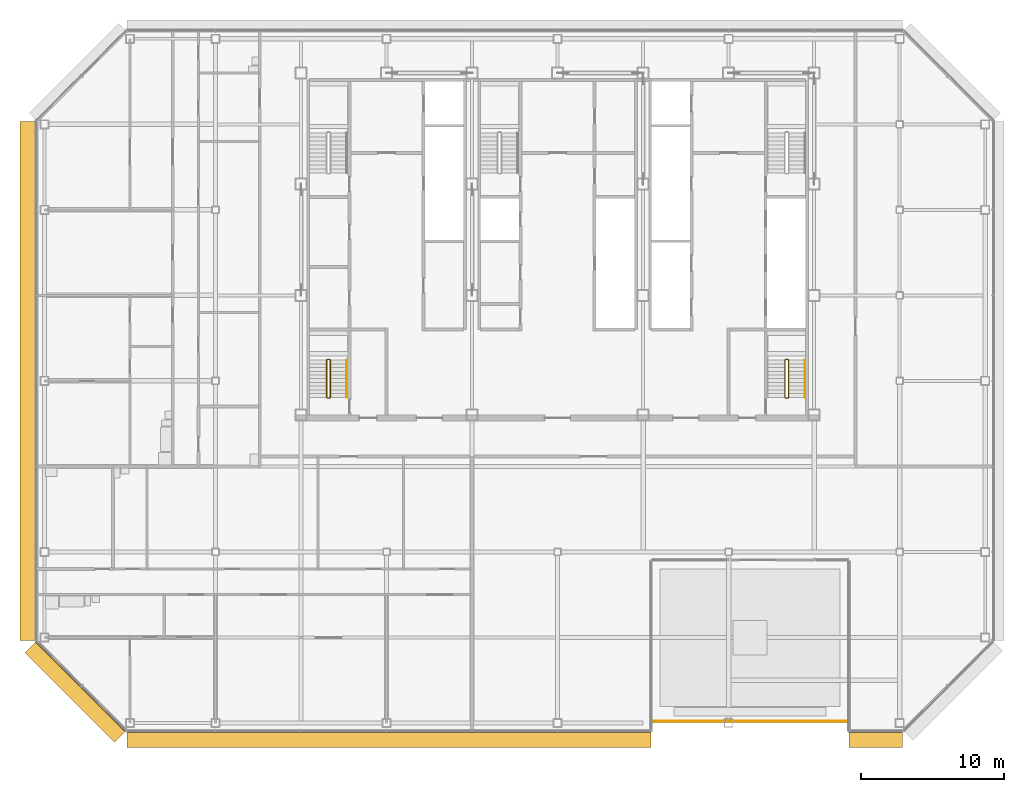
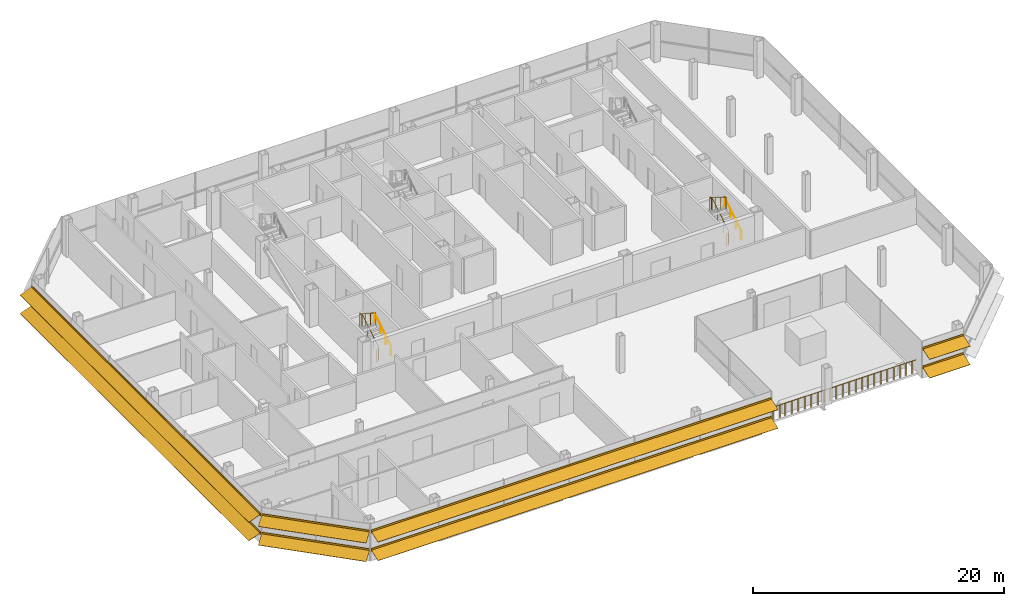
# One storey, part 27 of 30: 5 railings, 4 shading devices.
"""IFC4 building model written with IfcOpenShell, lengths in metres."""

from ifc_helpers import new_model, si_unit, direction, frame, origin, origin_2d, place, context, subcontext, project, spatial, polyline, circle, outline, composite_profile, extrude, material, type_object, element, save


model = new_model("IFC4")

# Units and contexts
model_context = context("Model", 3, precision=1e-05, world=origin(), true_north=direction((0.0, 1.0)))
body_context = subcontext(model_context, "Body", "Model", "MODEL_VIEW")
ifc_project = project(units=[si_unit("LENGTHUNIT", "METRE"), si_unit("AREAUNIT", "SQUARE_METRE"), si_unit("VOLUMEUNIT", "CUBIC_METRE"), si_unit("PLANEANGLEUNIT", "RADIAN"), si_unit("MASSUNIT", "GRAM", prefix="KILO")], contexts=[model_context])

# Site, building, storey
site_placement = place(None, origin())
site = spatial("IfcSite", under=ifc_project, at=site_placement, CompositionType="ELEMENT")
building_placement = place(site_placement, origin())
building = spatial("IfcBuilding", under=site, at=building_placement, Name="Sorahane Residences", CompositionType="ELEMENT")
storey_placement = place(building_placement, frame((0.0, 0.0, 263.0)))
storey = spatial("IfcBuildingStorey", under=building, at=storey_placement, Name="L62", CompositionType="ELEMENT", Elevation=263.0)

# Shading devices
ifc_material_1 = material(Name="Terracotta anodised aluminium", Category="masonry")
shading_device_type_1 = type_object("IfcShadingDeviceType", Name="Louvre sunshade blade S terracotta aluminium 1100", PredefinedType="JALOUSIE", material=ifc_material_1)
shading_device_1_placement = place(storey_placement, frame((-6.198486328125, -0.60009765625, 0.89990234375), z_axis=(1.0, 0.0, 0.0), x_axis=(0.0, 1.0, 0.0)))
element("IfcShadingDevice", 1, at=shading_device_1_placement, inside=storey, type_object=shading_device_type_1, Name="Louvre sunshade blade bank S L62 S1", PredefinedType="JALOUSIE", context=body_context, shape_type="SweptSolid", body=[
    extrude(composite_profile([outline(polyline([(-1.1201171875, -0.385498046875), (-1.1201171875, -0.415283203125), (-0.080078125, -0.036865234375), (-0.080078125, -0.14990234375), (-0.02001953125, -0.14990234375), (-0.02001953125, -0.014892578125), (-0.02001953125, 0.014892578125), (-0.02001953125, 0.14990234375), (-0.080078125, 0.14990234375), (-0.080078125, -0.0068359375), (-1.1201171875, -0.385498046875)])), outline(polyline([(-1.1201171875, 1.41455078125), (-1.1201171875, 1.384521484375), (-0.080078125, 1.76318359375), (-0.080078125, 1.64990234375), (-0.02001953125, 1.64990234375), (-0.02001953125, 1.784912109375), (-0.02001953125, 1.81494140625), (-0.02001953125, 1.949951171875), (-0.080078125, 1.949951171875), (-0.080078125, 1.793212890625), (-1.1201171875, 1.41455078125)]))]), origin(), (0.0, 0.0, 1.0), 36.74853515625),
])
shading_device_2_placement = place(storey_placement, frame((44.449951171875, -0.60009765625, 0.89990234375), z_axis=(1.0, 0.0, 0.0), x_axis=(0.0, 1.0, 0.0)))
element("IfcShadingDevice", 2, at=shading_device_2_placement, inside=storey, type_object=shading_device_type_1, Name="Louvre sunshade blade bank S L62 S3", PredefinedType="JALOUSIE", context=body_context, shape_type="SweptSolid", body=[
    extrude(composite_profile([outline(polyline([(-1.1201171875, -0.385498046875), (-1.1201171875, -0.415283203125), (-0.080078125, -0.036865234375), (-0.080078125, -0.14990234375), (-0.02001953125, -0.14990234375), (-0.02001953125, -0.014892578125), (-0.02001953125, 0.014892578125), (-0.02001953125, 0.14990234375), (-0.080078125, 0.14990234375), (-0.080078125, -0.0068359375), (-1.1201171875, -0.385498046875)])), outline(polyline([(-1.1201171875, 1.41455078125), (-1.1201171875, 1.384521484375), (-0.080078125, 1.76318359375), (-0.080078125, 1.64990234375), (-0.02001953125, 1.64990234375), (-0.02001953125, 1.784912109375), (-0.02001953125, 1.81494140625), (-0.02001953125, 1.949951171875), (-0.080078125, 1.949951171875), (-0.080078125, 1.793212890625), (-1.1201171875, 1.41455078125)]))]), origin(), (0.0, 0.0, 1.0), 3.74853515625),
])
ifc_material_2 = material(Name="Terracotta anodised aluminium", Category="masonry")
shading_device_type_2 = type_object("IfcShadingDeviceType", Name="Louvre sunshade blade SW terracotta aluminium 1100", PredefinedType="JALOUSIE", material=ifc_material_2)
shading_device_3_placement = place(storey_placement, frame((-12.564697265625, 5.716064453125, 0.89990234375), z_axis=(0.707106781187, -0.707106781187, 0.0), x_axis=(0.707106781187, 0.707106781187, 0.0)))
element("IfcShadingDevice", 3, at=shading_device_3_placement, inside=storey, type_object=shading_device_type_2, Name="Louvre sunshade blade bank SW L62 SW1", PredefinedType="JALOUSIE", context=body_context, shape_type="SweptSolid", body=[
    extrude(composite_profile([outline(polyline([(-1.1201171875, -0.385498046875), (-1.1201171875, -0.415283203125), (-0.080078125, -0.036865234375), (-0.080078125, -0.14990234375), (-0.02001953125, -0.14990234375), (-0.02001953125, -0.014892578125), (-0.02001953125, 0.014892578125), (-0.02001953125, 0.14990234375), (-0.080078125, 0.14990234375), (-0.080078125, -0.0068359375), (-1.1201171875, -0.385498046875)])), outline(polyline([(-1.1201171875, 1.41455078125), (-1.1201171875, 1.384521484375), (-0.080078125, 1.76318359375), (-0.080078125, 1.64990234375), (-0.02001953125, 1.64990234375), (-0.02001953125, 1.784912109375), (-0.02001953125, 1.81494140625), (-0.02001953125, 1.949951171875), (-0.080078125, 1.949951171875), (-0.080078125, 1.793212890625), (-1.1201171875, 1.41455078125)]))]), origin(), (0.0, 0.0, 1.0), 8.88232421875),
])
ifc_material_3 = material(Name="Terracotta anodised aluminium", Category="masonry")
shading_device_type_3 = type_object("IfcShadingDeviceType", Name="Louvre sunshade blade W terracotta aluminium 1100", PredefinedType="JALOUSIE", material=ifc_material_3)
shading_device_4_placement = place(storey_placement, frame((-12.60009765625, 42.198486328125, 0.89990234375), z_axis=(0.0, -1.0, 0.0), x_axis=(1.0, 0.0, 0.0)))
element("IfcShadingDevice", 4, at=shading_device_4_placement, inside=storey, type_object=shading_device_type_3, Name="Louvre sunshade blade bank W L62 W2", PredefinedType="JALOUSIE", context=body_context, shape_type="SweptSolid", body=[
    extrude(composite_profile([outline(polyline([(-1.1201171875, -0.385498046875), (-1.1201171875, -0.415283203125), (-0.080078125, -0.036865234375), (-0.080078125, -0.14990234375), (-0.02001953125, -0.14990234375), (-0.02001953125, -0.014892578125), (-0.02001953125, 0.014892578125), (-0.02001953125, 0.14990234375), (-0.080078125, 0.14990234375), (-0.080078125, -0.0068359375), (-1.1201171875, -0.385498046875)])), outline(polyline([(-1.1201171875, 1.41455078125), (-1.1201171875, 1.384521484375), (-0.080078125, 1.76318359375), (-0.080078125, 1.64990234375), (-0.02001953125, 1.64990234375), (-0.02001953125, 1.784912109375), (-0.02001953125, 1.81494140625), (-0.02001953125, 1.949951171875), (-0.080078125, 1.949951171875), (-0.080078125, 1.793212890625), (-1.1201171875, 1.41455078125)]))]), origin(), (0.0, 0.0, 1.0), 36.39697265625),
])

# Railings
ifc_material_4 = material(Name="Steel Q355B", Category="steel")
railing_type_1 = type_object("IfcRailingType", Name="Stair guard 1200 Steel Q355B", PredefinedType="GUARDRAIL", material=ifc_material_4)
railing_1_placement = place(storey_placement, frame((7.85009765625, 22.800048828125, 0.0)))
element("IfcRailing", 5, at=railing_1_placement, inside=storey, type_object=railing_type_1, Name="L62 S4 stair guard 1", PredefinedType="GUARDRAIL", context=body_context, shape_type="SweptSolid", body=[
    extrude(circle(Radius=0.02392578125, at=origin_2d()), frame((0.0, 0.0, 1.17578125), z_axis=(1.0, 0.0, 0.0), x_axis=(0.0, 1.0, 0.0)), (0.0, 0.0, 1.0), 0.14990234375),
    extrude(circle(Radius=0.02392578125, at=origin_2d()), frame((0.14990234375, 0.0, 1.17578125), z_axis=(0.280808744504, 0.280808744504, 0.917765164963), x_axis=(-0.707106781187, 0.707106781187, 0.0)), (0.0, 0.0, 1.0), 0.17822265625),
    extrude(circle(Radius=0.02392578125, at=origin_2d()), frame((0.199951171875, 0.050048828125, 1.33935546875), z_axis=(0.0, 0.846301844409, 0.532703658848), x_axis=(-1.0, 0.0, 0.0)), (0.0, 0.0, 1.0), 3.072021484375),
    extrude(circle(Radius=0.02392578125, at=origin_2d()), frame((0.199951171875, 2.64990234375, 2.97607421875), z_axis=(-0.707106781187, 0.707106781187, 0.0), x_axis=(-0.707106781187, -0.707106781187, 0.0)), (0.0, 0.0, 1.0), 0.07080078125),
    extrude(circle(Radius=0.02392578125, at=origin_2d()), frame((0.14990234375, 2.699951171875, 2.97607421875), z_axis=(-1.0, 0.0, 0.0), x_axis=(0.0, -1.0, 0.0)), (0.0, 0.0, 1.0), 0.14990234375),
    extrude(circle(Radius=0.02392578125, at=origin_2d()), frame((0.0, 2.699951171875, 2.97607421875), z_axis=(-0.280808744504, -0.280808744504, 0.917765164963), x_axis=(0.707106781187, -0.707106781187, 0.0)), (0.0, 0.0, 1.0), 0.17822265625),
    extrude(circle(Radius=0.02392578125, at=origin_2d()), frame((-0.050048828125, 2.64990234375, 3.1396484375), z_axis=(0.0, -0.846301844409, 0.532703658848), x_axis=(1.0, 0.0, 0.0)), (0.0, 0.0, 1.0), 3.072021484375),
    extrude(circle(Radius=0.02099609375, at=origin_2d()), origin(), (0.0, 0.0, 1.0), 1.15185546875),
    extrude(circle(Radius=0.02099609375, at=origin_2d()), frame((0.14990234375, 0.0, 0.0)), (0.0, 0.0, 1.0), 1.15185546875),
    extrude(circle(Radius=0.02099609375, at=origin_2d()), frame((0.199951171875, 0.050048828125, 0.16357421875)), (0.0, 0.0, 1.0), 1.15185546875),
    extrude(circle(Radius=0.02099609375, at=origin_2d()), frame((0.199951171875, 0.916748046875, 0.708984375)), (0.0, 0.0, 1.0), 1.15185546875),
    extrude(circle(Radius=0.02099609375, at=origin_2d()), frame((0.199951171875, 1.783203125, 1.254638671875)), (0.0, 0.0, 1.0), 1.15185546875),
    extrude(circle(Radius=0.02099609375, at=origin_2d()), frame((0.199951171875, 2.64990234375, 1.800048828125)), (0.0, 0.0, 1.0), 1.15185546875),
    extrude(circle(Radius=0.02099609375, at=origin_2d()), frame((0.14990234375, 2.699951171875, 1.800048828125)), (0.0, 0.0, 1.0), 1.15185546875),
    extrude(circle(Radius=0.02099609375, at=origin_2d()), frame((0.0, 2.699951171875, 1.800048828125)), (0.0, 0.0, 1.0), 1.15185546875),
    extrude(circle(Radius=0.02099609375, at=origin_2d()), frame((-0.050048828125, 2.64990234375, 1.963623046875)), (0.0, 0.0, 1.0), 1.15185546875),
    extrude(circle(Radius=0.02099609375, at=origin_2d()), frame((-0.050048828125, 1.783203125, 2.509033203125)), (0.0, 0.0, 1.0), 1.15185546875),
    extrude(circle(Radius=0.02099609375, at=origin_2d()), frame((-0.050048828125, 0.916748046875, 3.0546875)), (0.0, 0.0, 1.0), 1.15185546875),
    extrude(circle(Radius=0.02099609375, at=origin_2d()), frame((-0.050048828125, 0.050048828125, 3.60009765625)), (0.0, 0.0, 1.0), 1.15185546875),
])
railing_2_placement = place(storey_placement, frame((40.0, 22.800048828125, 0.0)))
element("IfcRailing", 6, at=railing_2_placement, inside=storey, type_object=railing_type_1, Name="L62 S5 stair guard 1", PredefinedType="GUARDRAIL", context=body_context, shape_type="SweptSolid", body=[
    extrude(circle(Radius=0.02392578125, at=origin_2d()), frame((0.0, 0.0, 1.17578125), z_axis=(1.0, 0.0, 0.0), x_axis=(0.0, 1.0, 0.0)), (0.0, 0.0, 1.0), 0.14990234375),
    extrude(circle(Radius=0.02392578125, at=origin_2d()), frame((0.14990234375, 0.0, 1.17578125), z_axis=(0.280808744504, 0.280808744504, 0.917765164963), x_axis=(-0.707106781187, 0.707106781187, 0.0)), (0.0, 0.0, 1.0), 0.17822265625),
    extrude(circle(Radius=0.02392578125, at=origin_2d()), frame((0.199951171875, 0.050048828125, 1.33935546875), z_axis=(0.0, 0.846301844409, 0.532703658848), x_axis=(-1.0, 0.0, 0.0)), (0.0, 0.0, 1.0), 3.072021484375),
    extrude(circle(Radius=0.02392578125, at=origin_2d()), frame((0.199951171875, 2.64990234375, 2.97607421875), z_axis=(-0.707106781187, 0.707106781187, 0.0), x_axis=(-0.707106781187, -0.707106781187, 0.0)), (0.0, 0.0, 1.0), 0.07080078125),
    extrude(circle(Radius=0.02392578125, at=origin_2d()), frame((0.14990234375, 2.699951171875, 2.97607421875), z_axis=(-1.0, 0.0, 0.0), x_axis=(0.0, -1.0, 0.0)), (0.0, 0.0, 1.0), 0.14990234375),
    extrude(circle(Radius=0.02392578125, at=origin_2d()), frame((0.0, 2.699951171875, 2.97607421875), z_axis=(-0.280808744504, -0.280808744504, 0.917765164963), x_axis=(0.707106781187, -0.707106781187, 0.0)), (0.0, 0.0, 1.0), 0.17822265625),
    extrude(circle(Radius=0.02392578125, at=origin_2d()), frame((-0.050048828125, 2.64990234375, 3.1396484375), z_axis=(0.0, -0.846301844409, 0.532703658848), x_axis=(1.0, 0.0, 0.0)), (0.0, 0.0, 1.0), 3.072021484375),
    extrude(circle(Radius=0.02099609375, at=origin_2d()), origin(), (0.0, 0.0, 1.0), 1.15185546875),
    extrude(circle(Radius=0.02099609375, at=origin_2d()), frame((0.14990234375, 0.0, 0.0)), (0.0, 0.0, 1.0), 1.15185546875),
    extrude(circle(Radius=0.02099609375, at=origin_2d()), frame((0.199951171875, 0.050048828125, 0.16357421875)), (0.0, 0.0, 1.0), 1.15185546875),
    extrude(circle(Radius=0.02099609375, at=origin_2d()), frame((0.199951171875, 0.916748046875, 0.708984375)), (0.0, 0.0, 1.0), 1.15185546875),
    extrude(circle(Radius=0.02099609375, at=origin_2d()), frame((0.199951171875, 1.783203125, 1.254638671875)), (0.0, 0.0, 1.0), 1.15185546875),
    extrude(circle(Radius=0.02099609375, at=origin_2d()), frame((0.199951171875, 2.64990234375, 1.800048828125)), (0.0, 0.0, 1.0), 1.15185546875),
    extrude(circle(Radius=0.02099609375, at=origin_2d()), frame((0.14990234375, 2.699951171875, 1.800048828125)), (0.0, 0.0, 1.0), 1.15185546875),
    extrude(circle(Radius=0.02099609375, at=origin_2d()), frame((0.0, 2.699951171875, 1.800048828125)), (0.0, 0.0, 1.0), 1.15185546875),
    extrude(circle(Radius=0.02099609375, at=origin_2d()), frame((-0.050048828125, 2.64990234375, 1.963623046875)), (0.0, 0.0, 1.0), 1.15185546875),
    extrude(circle(Radius=0.02099609375, at=origin_2d()), frame((-0.050048828125, 1.783203125, 2.509033203125)), (0.0, 0.0, 1.0), 1.15185546875),
    extrude(circle(Radius=0.02099609375, at=origin_2d()), frame((-0.050048828125, 0.916748046875, 3.0546875)), (0.0, 0.0, 1.0), 1.15185546875),
    extrude(circle(Radius=0.02099609375, at=origin_2d()), frame((-0.050048828125, 0.050048828125, 3.60009765625)), (0.0, 0.0, 1.0), 1.15185546875),
])
ifc_material_5 = material(Name="Steel Q355B", Category="steel")
railing_type_2 = type_object("IfcRailingType", Name="Stair handrail 900 Steel Q355B", PredefinedType="HANDRAIL", material=ifc_material_5)
for number, where, name in (
    (7, (9.199951171875, 22.85009765625, 0.16357421875), "L62 S4 stair handrail 1"),
    (8, (41.35009765625, 22.85009765625, 0.16357421875), "L62 S5 stair handrail 1"),
):
    element("IfcRailing", number, at=place(storey_placement, frame(where)), inside=storey, type_object=railing_type_2, Name=name, PredefinedType="HANDRAIL", context=body_context, shape_type="SweptSolid", body=[
        extrude(circle(Radius=0.02392578125, at=origin_2d()), frame((0.0, 0.0, 0.8759765625), z_axis=(0.0, 0.846301844409, 0.532703658848), x_axis=(-1.0, 0.0, 0.0)), (0.0, 0.0, 1.0), 3.072021484375),
        extrude(circle(Radius=0.02099609375, at=origin_2d()), origin(), (0.0, 0.0, 1.0), 0.851806640625),
        extrude(circle(Radius=0.02099609375, at=origin_2d()), frame((0.0, 0.86669921875, 0.54541015625)), (0.0, 0.0, 1.0), 0.851806640625),
        extrude(circle(Radius=0.02099609375, at=origin_2d()), frame((0.0, 1.733154296875, 1.091064453125)), (0.0, 0.0, 1.0), 0.851806640625),
        extrude(circle(Radius=0.02099609375, at=origin_2d()), frame((0.0, 2.599853515625, 1.636474609375)), (0.0, 0.0, 1.0), 0.851806640625),
    ])
ifc_material_6 = material(Name="Clear low-iron glass with a black steel top rail", Category="steel")
railing_type_3 = type_object("IfcRailingType", Name="Terrace guard black steel bars 1260", PredefinedType="GUARDRAIL", material=ifc_material_6)
railing_3_placement = place(storey_placement, frame((44.280029296875, 0.1201171875, 0.0)))
element("IfcRailing", 9, at=railing_3_placement, inside=storey, type_object=railing_type_3, Name="Terrace guard L62.1.1", PredefinedType="GUARDRAIL", context=body_context, shape_type="SweptSolid", body=[
    extrude(circle(Radius=0.030029296875, at=origin_2d()), frame((0.0, 0.0, 1.22998046875), z_axis=(-1.0, 0.0, 0.0), x_axis=(0.0, -1.0, 0.0)), (0.0, 0.0, 1.0), 13.56005859375),
    extrude(circle(Radius=0.0068359375, at=origin_2d()), origin(), (0.0, 0.0, 1.0), 1.199951171875),
    extrude(circle(Radius=0.0068359375, at=origin_2d()), frame((-0.099609375, 0.0, 0.0)), (0.0, 0.0, 1.0), 1.199951171875),
    extrude(circle(Radius=0.0068359375, at=origin_2d()), frame((-0.199462890625, 0.0, 0.0)), (0.0, 0.0, 1.0), 1.199951171875),
    extrude(circle(Radius=0.0068359375, at=origin_2d()), frame((-0.299072265625, 0.0, 0.0)), (0.0, 0.0, 1.0), 1.199951171875),
    extrude(circle(Radius=0.0068359375, at=origin_2d()), frame((-0.39892578125, 0.0, 0.0)), (0.0, 0.0, 1.0), 1.199951171875),
    extrude(circle(Radius=0.0068359375, at=origin_2d()), frame((-0.49853515625, 0.0, 0.0)), (0.0, 0.0, 1.0), 1.199951171875),
    extrude(circle(Radius=0.0068359375, at=origin_2d()), frame((-0.59814453125, 0.0, 0.0)), (0.0, 0.0, 1.0), 1.199951171875),
    extrude(circle(Radius=0.0068359375, at=origin_2d()), frame((-0.697998046875, 0.0, 0.0)), (0.0, 0.0, 1.0), 1.199951171875),
    extrude(circle(Radius=0.0068359375, at=origin_2d()), frame((-0.797607421875, 0.0, 0.0)), (0.0, 0.0, 1.0), 1.199951171875),
    extrude(circle(Radius=0.0068359375, at=origin_2d()), frame((-0.8974609375, 0.0, 0.0)), (0.0, 0.0, 1.0), 1.199951171875),
    extrude(circle(Radius=0.0068359375, at=origin_2d()), frame((-0.9970703125, 0.0, 0.0)), (0.0, 0.0, 1.0), 1.199951171875),
    extrude(circle(Radius=0.0068359375, at=origin_2d()), frame((-1.0966796875, 0.0, 0.0)), (0.0, 0.0, 1.0), 1.199951171875),
    extrude(circle(Radius=0.0068359375, at=origin_2d()), frame((-1.196533203125, 0.0, 0.0)), (0.0, 0.0, 1.0), 1.199951171875),
    extrude(circle(Radius=0.0068359375, at=origin_2d()), frame((-1.296142578125, 0.0, 0.0)), (0.0, 0.0, 1.0), 1.199951171875),
    extrude(circle(Radius=0.0068359375, at=origin_2d()), frame((-1.39599609375, 0.0, 0.0)), (0.0, 0.0, 1.0), 1.199951171875),
    extrude(circle(Radius=0.0068359375, at=origin_2d()), frame((-1.49560546875, 0.0, 0.0)), (0.0, 0.0, 1.0), 1.199951171875),
    extrude(circle(Radius=0.0068359375, at=origin_2d()), frame((-1.59521484375, 0.0, 0.0)), (0.0, 0.0, 1.0), 1.199951171875),
    extrude(circle(Radius=0.0068359375, at=origin_2d()), frame((-1.695068359375, 0.0, 0.0)), (0.0, 0.0, 1.0), 1.199951171875),
    extrude(circle(Radius=0.0068359375, at=origin_2d()), frame((-1.794677734375, 0.0, 0.0)), (0.0, 0.0, 1.0), 1.199951171875),
    extrude(circle(Radius=0.0068359375, at=origin_2d()), frame((-1.89453125, 0.0, 0.0)), (0.0, 0.0, 1.0), 1.199951171875),
    extrude(circle(Radius=0.0068359375, at=origin_2d()), frame((-1.994140625, 0.0, 0.0)), (0.0, 0.0, 1.0), 1.199951171875),
    extrude(circle(Radius=0.0068359375, at=origin_2d()), frame((-2.09375, 0.0, 0.0)), (0.0, 0.0, 1.0), 1.199951171875),
    extrude(circle(Radius=0.0068359375, at=origin_2d()), frame((-2.193603515625, 0.0, 0.0)), (0.0, 0.0, 1.0), 1.199951171875),
    extrude(circle(Radius=0.0068359375, at=origin_2d()), frame((-2.293212890625, 0.0, 0.0)), (0.0, 0.0, 1.0), 1.199951171875),
    extrude(circle(Radius=0.0068359375, at=origin_2d()), frame((-2.39306640625, 0.0, 0.0)), (0.0, 0.0, 1.0), 1.199951171875),
    extrude(circle(Radius=0.0068359375, at=origin_2d()), frame((-2.49267578125, 0.0, 0.0)), (0.0, 0.0, 1.0), 1.199951171875),
    extrude(circle(Radius=0.0068359375, at=origin_2d()), frame((-2.59228515625, 0.0, 0.0)), (0.0, 0.0, 1.0), 1.199951171875),
    extrude(circle(Radius=0.0068359375, at=origin_2d()), frame((-2.692138671875, 0.0, 0.0)), (0.0, 0.0, 1.0), 1.199951171875),
    extrude(circle(Radius=0.0068359375, at=origin_2d()), frame((-2.791748046875, 0.0, 0.0)), (0.0, 0.0, 1.0), 1.199951171875),
    extrude(circle(Radius=0.0068359375, at=origin_2d()), frame((-2.8916015625, 0.0, 0.0)), (0.0, 0.0, 1.0), 1.199951171875),
    extrude(circle(Radius=0.0068359375, at=origin_2d()), frame((-2.9912109375, 0.0, 0.0)), (0.0, 0.0, 1.0), 1.199951171875),
    extrude(circle(Radius=0.0068359375, at=origin_2d()), frame((-3.0908203125, 0.0, 0.0)), (0.0, 0.0, 1.0), 1.199951171875),
    extrude(circle(Radius=0.0068359375, at=origin_2d()), frame((-3.190673828125, 0.0, 0.0)), (0.0, 0.0, 1.0), 1.199951171875),
    extrude(circle(Radius=0.0068359375, at=origin_2d()), frame((-3.290283203125, 0.0, 0.0)), (0.0, 0.0, 1.0), 1.199951171875),
    extrude(circle(Radius=0.0068359375, at=origin_2d()), frame((-3.39013671875, 0.0, 0.0)), (0.0, 0.0, 1.0), 1.199951171875),
    extrude(circle(Radius=0.0068359375, at=origin_2d()), frame((-3.48974609375, 0.0, 0.0)), (0.0, 0.0, 1.0), 1.199951171875),
    extrude(circle(Radius=0.0068359375, at=origin_2d()), frame((-3.58935546875, 0.0, 0.0)), (0.0, 0.0, 1.0), 1.199951171875),
    extrude(circle(Radius=0.0068359375, at=origin_2d()), frame((-3.689208984375, 0.0, 0.0)), (0.0, 0.0, 1.0), 1.199951171875),
    extrude(circle(Radius=0.0068359375, at=origin_2d()), frame((-3.788818359375, 0.0, 0.0)), (0.0, 0.0, 1.0), 1.199951171875),
    extrude(circle(Radius=0.0068359375, at=origin_2d()), frame((-3.888427734375, 0.0, 0.0)), (0.0, 0.0, 1.0), 1.199951171875),
    extrude(circle(Radius=0.0068359375, at=origin_2d()), frame((-3.98828125, 0.0, 0.0)), (0.0, 0.0, 1.0), 1.199951171875),
    extrude(circle(Radius=0.0068359375, at=origin_2d()), frame((-4.087890625, 0.0, 0.0)), (0.0, 0.0, 1.0), 1.199951171875),
    extrude(circle(Radius=0.0068359375, at=origin_2d()), frame((-4.187744140625, 0.0, 0.0)), (0.0, 0.0, 1.0), 1.199951171875),
    extrude(circle(Radius=0.0068359375, at=origin_2d()), frame((-4.287353515625, 0.0, 0.0)), (0.0, 0.0, 1.0), 1.199951171875),
    extrude(circle(Radius=0.0068359375, at=origin_2d()), frame((-4.386962890625, 0.0, 0.0)), (0.0, 0.0, 1.0), 1.199951171875),
    extrude(circle(Radius=0.0068359375, at=origin_2d()), frame((-4.48681640625, 0.0, 0.0)), (0.0, 0.0, 1.0), 1.199951171875),
    extrude(circle(Radius=0.0068359375, at=origin_2d()), frame((-4.58642578125, 0.0, 0.0)), (0.0, 0.0, 1.0), 1.199951171875),
    extrude(circle(Radius=0.0068359375, at=origin_2d()), frame((-4.686279296875, 0.0, 0.0)), (0.0, 0.0, 1.0), 1.199951171875),
    extrude(circle(Radius=0.0068359375, at=origin_2d()), frame((-4.785888671875, 0.0, 0.0)), (0.0, 0.0, 1.0), 1.199951171875),
    extrude(circle(Radius=0.0068359375, at=origin_2d()), frame((-4.885498046875, 0.0, 0.0)), (0.0, 0.0, 1.0), 1.199951171875),
    extrude(circle(Radius=0.0068359375, at=origin_2d()), frame((-4.9853515625, 0.0, 0.0)), (0.0, 0.0, 1.0), 1.199951171875),
    extrude(circle(Radius=0.0068359375, at=origin_2d()), frame((-5.0849609375, 0.0, 0.0)), (0.0, 0.0, 1.0), 1.199951171875),
    extrude(circle(Radius=0.0068359375, at=origin_2d()), frame((-5.184814453125, 0.0, 0.0)), (0.0, 0.0, 1.0), 1.199951171875),
    extrude(circle(Radius=0.0068359375, at=origin_2d()), frame((-5.284423828125, 0.0, 0.0)), (0.0, 0.0, 1.0), 1.199951171875),
    extrude(circle(Radius=0.0068359375, at=origin_2d()), frame((-5.384033203125, 0.0, 0.0)), (0.0, 0.0, 1.0), 1.199951171875),
    extrude(circle(Radius=0.0068359375, at=origin_2d()), frame((-5.48388671875, 0.0, 0.0)), (0.0, 0.0, 1.0), 1.199951171875),
    extrude(circle(Radius=0.0068359375, at=origin_2d()), frame((-5.58349609375, 0.0, 0.0)), (0.0, 0.0, 1.0), 1.199951171875),
    extrude(circle(Radius=0.0068359375, at=origin_2d()), frame((-5.683349609375, 0.0, 0.0)), (0.0, 0.0, 1.0), 1.199951171875),
    extrude(circle(Radius=0.0068359375, at=origin_2d()), frame((-5.782958984375, 0.0, 0.0)), (0.0, 0.0, 1.0), 1.199951171875),
    extrude(circle(Radius=0.0068359375, at=origin_2d()), frame((-5.882568359375, 0.0, 0.0)), (0.0, 0.0, 1.0), 1.199951171875),
    extrude(circle(Radius=0.0068359375, at=origin_2d()), frame((-5.982421875, 0.0, 0.0)), (0.0, 0.0, 1.0), 1.199951171875),
    extrude(circle(Radius=0.0068359375, at=origin_2d()), frame((-6.08203125, 0.0, 0.0)), (0.0, 0.0, 1.0), 1.199951171875),
    extrude(circle(Radius=0.0068359375, at=origin_2d()), frame((-6.181884765625, 0.0, 0.0)), (0.0, 0.0, 1.0), 1.199951171875),
    extrude(circle(Radius=0.0068359375, at=origin_2d()), frame((-6.281494140625, 0.0, 0.0)), (0.0, 0.0, 1.0), 1.199951171875),
    extrude(circle(Radius=0.0068359375, at=origin_2d()), frame((-6.381103515625, 0.0, 0.0)), (0.0, 0.0, 1.0), 1.199951171875),
    extrude(circle(Radius=0.0068359375, at=origin_2d()), frame((-6.48095703125, 0.0, 0.0)), (0.0, 0.0, 1.0), 1.199951171875),
    extrude(circle(Radius=0.0068359375, at=origin_2d()), frame((-6.58056640625, 0.0, 0.0)), (0.0, 0.0, 1.0), 1.199951171875),
    extrude(circle(Radius=0.0068359375, at=origin_2d()), frame((-6.680419921875, 0.0, 0.0)), (0.0, 0.0, 1.0), 1.199951171875),
    extrude(circle(Radius=0.0068359375, at=origin_2d()), frame((-6.780029296875, 0.0, 0.0)), (0.0, 0.0, 1.0), 1.199951171875),
    extrude(circle(Radius=0.0068359375, at=origin_2d()), frame((-6.879638671875, 0.0, 0.0)), (0.0, 0.0, 1.0), 1.199951171875),
    extrude(circle(Radius=0.0068359375, at=origin_2d()), frame((-6.9794921875, 0.0, 0.0)), (0.0, 0.0, 1.0), 1.199951171875),
    extrude(circle(Radius=0.0068359375, at=origin_2d()), frame((-7.0791015625, 0.0, 0.0)), (0.0, 0.0, 1.0), 1.199951171875),
    extrude(circle(Radius=0.0068359375, at=origin_2d()), frame((-7.178955078125, 0.0, 0.0)), (0.0, 0.0, 1.0), 1.199951171875),
    extrude(circle(Radius=0.0068359375, at=origin_2d()), frame((-7.278564453125, 0.0, 0.0)), (0.0, 0.0, 1.0), 1.199951171875),
    extrude(circle(Radius=0.0068359375, at=origin_2d()), frame((-7.378173828125, 0.0, 0.0)), (0.0, 0.0, 1.0), 1.199951171875),
    extrude(circle(Radius=0.0068359375, at=origin_2d()), frame((-7.47802734375, 0.0, 0.0)), (0.0, 0.0, 1.0), 1.199951171875),
    extrude(circle(Radius=0.0068359375, at=origin_2d()), frame((-7.57763671875, 0.0, 0.0)), (0.0, 0.0, 1.0), 1.199951171875),
    extrude(circle(Radius=0.0068359375, at=origin_2d()), frame((-7.677490234375, 0.0, 0.0)), (0.0, 0.0, 1.0), 1.199951171875),
    extrude(circle(Radius=0.0068359375, at=origin_2d()), frame((-7.777099609375, 0.0, 0.0)), (0.0, 0.0, 1.0), 1.199951171875),
    extrude(circle(Radius=0.0068359375, at=origin_2d()), frame((-7.876708984375, 0.0, 0.0)), (0.0, 0.0, 1.0), 1.199951171875),
    extrude(circle(Radius=0.0068359375, at=origin_2d()), frame((-7.9765625, 0.0, 0.0)), (0.0, 0.0, 1.0), 1.199951171875),
    extrude(circle(Radius=0.0068359375, at=origin_2d()), frame((-8.076171875, 0.0, 0.0)), (0.0, 0.0, 1.0), 1.199951171875),
    extrude(circle(Radius=0.0068359375, at=origin_2d()), frame((-8.176025390625, 0.0, 0.0)), (0.0, 0.0, 1.0), 1.199951171875),
    extrude(circle(Radius=0.0068359375, at=origin_2d()), frame((-8.275634765625, 0.0, 0.0)), (0.0, 0.0, 1.0), 1.199951171875),
    extrude(circle(Radius=0.0068359375, at=origin_2d()), frame((-8.375244140625, 0.0, 0.0)), (0.0, 0.0, 1.0), 1.199951171875),
    extrude(circle(Radius=0.0068359375, at=origin_2d()), frame((-8.47509765625, 0.0, 0.0)), (0.0, 0.0, 1.0), 1.199951171875),
    extrude(circle(Radius=0.0068359375, at=origin_2d()), frame((-8.57470703125, 0.0, 0.0)), (0.0, 0.0, 1.0), 1.199951171875),
    extrude(circle(Radius=0.0068359375, at=origin_2d()), frame((-8.674560546875, 0.0, 0.0)), (0.0, 0.0, 1.0), 1.199951171875),
    extrude(circle(Radius=0.0068359375, at=origin_2d()), frame((-8.774169921875, 0.0, 0.0)), (0.0, 0.0, 1.0), 1.199951171875),
    extrude(circle(Radius=0.0068359375, at=origin_2d()), frame((-8.873779296875, 0.0, 0.0)), (0.0, 0.0, 1.0), 1.199951171875),
    extrude(circle(Radius=0.0068359375, at=origin_2d()), frame((-8.9736328125, 0.0, 0.0)), (0.0, 0.0, 1.0), 1.199951171875),
    extrude(circle(Radius=0.0068359375, at=origin_2d()), frame((-9.0732421875, 0.0, 0.0)), (0.0, 0.0, 1.0), 1.199951171875),
    extrude(circle(Radius=0.0068359375, at=origin_2d()), frame((-9.173095703125, 0.0, 0.0)), (0.0, 0.0, 1.0), 1.199951171875),
    extrude(circle(Radius=0.0068359375, at=origin_2d()), frame((-9.272705078125, 0.0, 0.0)), (0.0, 0.0, 1.0), 1.199951171875),
    extrude(circle(Radius=0.0068359375, at=origin_2d()), frame((-9.372314453125, 0.0, 0.0)), (0.0, 0.0, 1.0), 1.199951171875),
    extrude(circle(Radius=0.0068359375, at=origin_2d()), frame((-9.47216796875, 0.0, 0.0)), (0.0, 0.0, 1.0), 1.199951171875),
    extrude(circle(Radius=0.0068359375, at=origin_2d()), frame((-9.57177734375, 0.0, 0.0)), (0.0, 0.0, 1.0), 1.199951171875),
    extrude(circle(Radius=0.0068359375, at=origin_2d()), frame((-9.671630859375, 0.0, 0.0)), (0.0, 0.0, 1.0), 1.199951171875),
    extrude(circle(Radius=0.0068359375, at=origin_2d()), frame((-9.771240234375, 0.0, 0.0)), (0.0, 0.0, 1.0), 1.199951171875),
    extrude(circle(Radius=0.0068359375, at=origin_2d()), frame((-9.870849609375, 0.0, 0.0)), (0.0, 0.0, 1.0), 1.199951171875),
    extrude(circle(Radius=0.0068359375, at=origin_2d()), frame((-9.970703125, 0.0, 0.0)), (0.0, 0.0, 1.0), 1.199951171875),
    extrude(circle(Radius=0.0068359375, at=origin_2d()), frame((-10.0703125, 0.0, 0.0)), (0.0, 0.0, 1.0), 1.199951171875),
    extrude(circle(Radius=0.0068359375, at=origin_2d()), frame((-10.169921875, 0.0, 0.0)), (0.0, 0.0, 1.0), 1.199951171875),
    extrude(circle(Radius=0.0068359375, at=origin_2d()), frame((-10.269775390625, 0.0, 0.0)), (0.0, 0.0, 1.0), 1.199951171875),
    extrude(circle(Radius=0.0068359375, at=origin_2d()), frame((-10.369384765625, 0.0, 0.0)), (0.0, 0.0, 1.0), 1.199951171875),
    extrude(circle(Radius=0.0068359375, at=origin_2d()), frame((-10.46923828125, 0.0, 0.0)), (0.0, 0.0, 1.0), 1.199951171875),
    extrude(circle(Radius=0.0068359375, at=origin_2d()), frame((-10.56884765625, 0.0, 0.0)), (0.0, 0.0, 1.0), 1.199951171875),
    extrude(circle(Radius=0.0068359375, at=origin_2d()), frame((-10.66845703125, 0.0, 0.0)), (0.0, 0.0, 1.0), 1.199951171875),
    extrude(circle(Radius=0.0068359375, at=origin_2d()), frame((-10.768310546875, 0.0, 0.0)), (0.0, 0.0, 1.0), 1.199951171875),
    extrude(circle(Radius=0.0068359375, at=origin_2d()), frame((-10.867919921875, 0.0, 0.0)), (0.0, 0.0, 1.0), 1.199951171875),
    extrude(circle(Radius=0.0068359375, at=origin_2d()), frame((-10.9677734375, 0.0, 0.0)), (0.0, 0.0, 1.0), 1.199951171875),
    extrude(circle(Radius=0.0068359375, at=origin_2d()), frame((-11.0673828125, 0.0, 0.0)), (0.0, 0.0, 1.0), 1.199951171875),
    extrude(circle(Radius=0.0068359375, at=origin_2d()), frame((-11.1669921875, 0.0, 0.0)), (0.0, 0.0, 1.0), 1.199951171875),
    extrude(circle(Radius=0.0068359375, at=origin_2d()), frame((-11.266845703125, 0.0, 0.0)), (0.0, 0.0, 1.0), 1.199951171875),
    extrude(circle(Radius=0.0068359375, at=origin_2d()), frame((-11.366455078125, 0.0, 0.0)), (0.0, 0.0, 1.0), 1.199951171875),
    extrude(circle(Radius=0.0068359375, at=origin_2d()), frame((-11.46630859375, 0.0, 0.0)), (0.0, 0.0, 1.0), 1.199951171875),
    extrude(circle(Radius=0.0068359375, at=origin_2d()), frame((-11.56591796875, 0.0, 0.0)), (0.0, 0.0, 1.0), 1.199951171875),
    extrude(circle(Radius=0.0068359375, at=origin_2d()), frame((-11.66552734375, 0.0, 0.0)), (0.0, 0.0, 1.0), 1.199951171875),
    extrude(circle(Radius=0.0068359375, at=origin_2d()), frame((-11.765380859375, 0.0, 0.0)), (0.0, 0.0, 1.0), 1.199951171875),
    extrude(circle(Radius=0.0068359375, at=origin_2d()), frame((-11.864990234375, 0.0, 0.0)), (0.0, 0.0, 1.0), 1.199951171875),
    extrude(circle(Radius=0.0068359375, at=origin_2d()), frame((-11.96484375, 0.0, 0.0)), (0.0, 0.0, 1.0), 1.199951171875),
    extrude(circle(Radius=0.0068359375, at=origin_2d()), frame((-12.064453125, 0.0, 0.0)), (0.0, 0.0, 1.0), 1.199951171875),
    extrude(circle(Radius=0.0068359375, at=origin_2d()), frame((-12.1640625, 0.0, 0.0)), (0.0, 0.0, 1.0), 1.199951171875),
    extrude(circle(Radius=0.0068359375, at=origin_2d()), frame((-12.263916015625, 0.0, 0.0)), (0.0, 0.0, 1.0), 1.199951171875),
    extrude(circle(Radius=0.0068359375, at=origin_2d()), frame((-12.363525390625, 0.0, 0.0)), (0.0, 0.0, 1.0), 1.199951171875),
    extrude(circle(Radius=0.0068359375, at=origin_2d()), frame((-12.46337890625, 0.0, 0.0)), (0.0, 0.0, 1.0), 1.199951171875),
    extrude(circle(Radius=0.0068359375, at=origin_2d()), frame((-12.56298828125, 0.0, 0.0)), (0.0, 0.0, 1.0), 1.199951171875),
    extrude(circle(Radius=0.0068359375, at=origin_2d()), frame((-12.66259765625, 0.0, 0.0)), (0.0, 0.0, 1.0), 1.199951171875),
    extrude(circle(Radius=0.0068359375, at=origin_2d()), frame((-12.762451171875, 0.0, 0.0)), (0.0, 0.0, 1.0), 1.199951171875),
    extrude(circle(Radius=0.0068359375, at=origin_2d()), frame((-12.862060546875, 0.0, 0.0)), (0.0, 0.0, 1.0), 1.199951171875),
    extrude(circle(Radius=0.0068359375, at=origin_2d()), frame((-12.9619140625, 0.0, 0.0)), (0.0, 0.0, 1.0), 1.199951171875),
    extrude(circle(Radius=0.0068359375, at=origin_2d()), frame((-13.0615234375, 0.0, 0.0)), (0.0, 0.0, 1.0), 1.199951171875),
    extrude(circle(Radius=0.0068359375, at=origin_2d()), frame((-13.1611328125, 0.0, 0.0)), (0.0, 0.0, 1.0), 1.199951171875),
    extrude(circle(Radius=0.0068359375, at=origin_2d()), frame((-13.260986328125, 0.0, 0.0)), (0.0, 0.0, 1.0), 1.199951171875),
    extrude(circle(Radius=0.0068359375, at=origin_2d()), frame((-13.360595703125, 0.0, 0.0)), (0.0, 0.0, 1.0), 1.199951171875),
    extrude(circle(Radius=0.0068359375, at=origin_2d()), frame((-13.46044921875, 0.0, 0.0)), (0.0, 0.0, 1.0), 1.199951171875),
    extrude(circle(Radius=0.0068359375, at=origin_2d()), frame((-13.56005859375, 0.0, 0.0)), (0.0, 0.0, 1.0), 1.199951171875),
])

save(model, "model.ifc")
